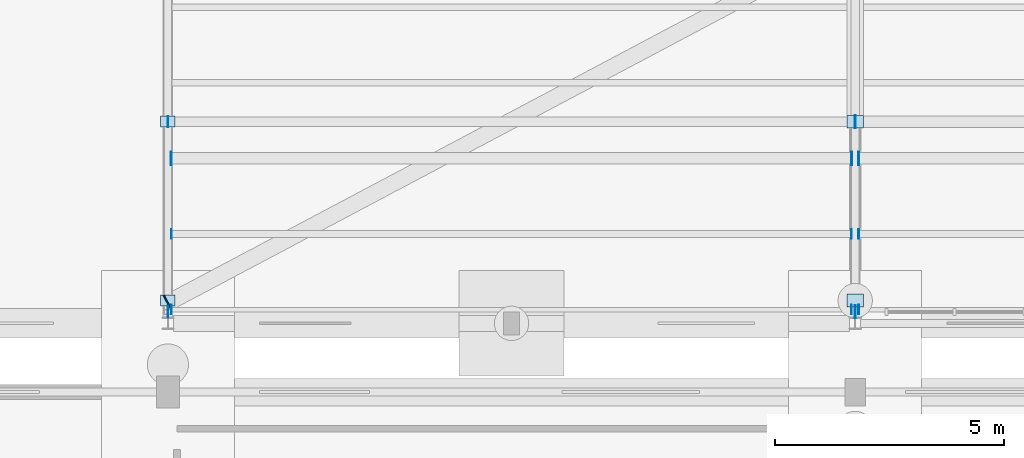
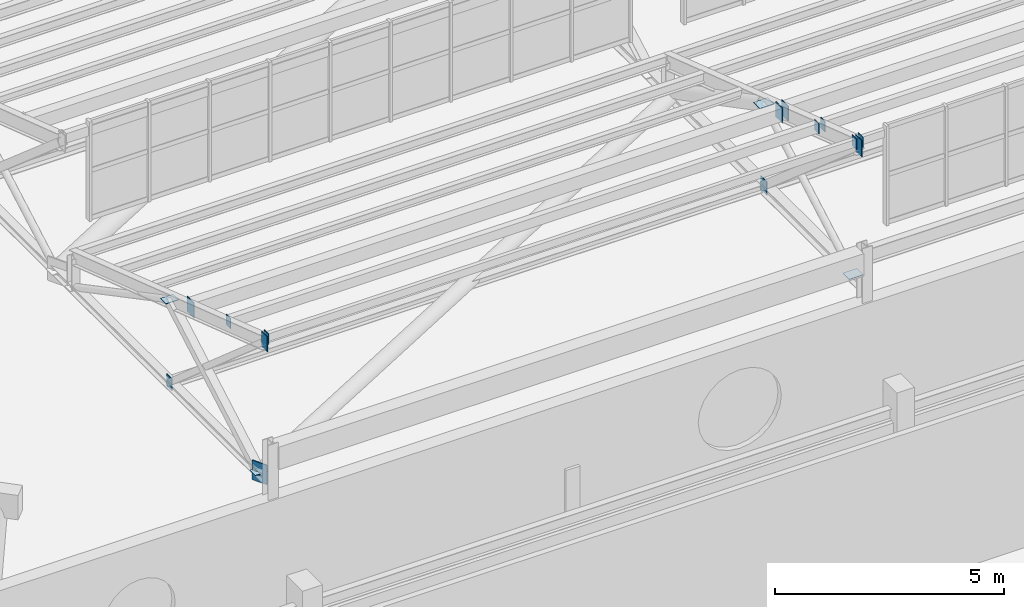
# One storey, part 189 of 285: 18 plates.
"""IFC4 building model written with IfcOpenShell, lengths in metres."""

from ifc_helpers import new_model, si_unit, direction, frame, origin, origin_2d, place, context, subcontext, project, spatial, rectangle, extrude, material, layer, layer_set, type_object, element, save


model = new_model("IFC4")

# Units and contexts
model_context = context("Model", 3, precision=1e-05, world=origin(), true_north=direction((0.0, 1.0)))
body_context = subcontext(model_context, "Body", "Model", "MODEL_VIEW")
ifc_project = project(units=[si_unit("LENGTHUNIT", "METRE"), si_unit("AREAUNIT", "SQUARE_METRE"), si_unit("VOLUMEUNIT", "CUBIC_METRE"), si_unit("PLANEANGLEUNIT", "RADIAN"), si_unit("MASSUNIT", "GRAM", prefix="KILO")], contexts=[model_context])

# Site, building, storey
site_placement = place(None, origin())
site = spatial("IfcSite", under=ifc_project, at=site_placement, CompositionType="ELEMENT")
building_placement = place(site_placement, origin())
building = spatial("IfcBuilding", under=site, at=building_placement, Name="Solanera Park Tramway Depot", CompositionType="ELEMENT")
storey_placement = place(building_placement, origin())
storey = spatial("IfcBuildingStorey", under=building, at=storey_placement, Name="L00", CompositionType="ELEMENT", Elevation=0.0)

# Plates
ifc_material_1 = material(Name="Steel AS/NZS 3679.1 Grade 350", Category="steel")
ifc_layer_1 = layer(ifc_material_1, 0.013916015625)
ifc_layer_set_1 = layer_set([ifc_layer_1], Name="Steel AS/NZS 3679.1 Grade 350")
plate_type_1 = type_object("IfcPlateType", Name="Hollow End Cap and Base Plate 280x200x14", PredefinedType="USERDEFINED", material=ifc_layer_set_1)
for number, where, z_axis, x_axis, name in (
    (1, (15.07470703125, 55.800048828125, 10.033203125), (0.0, 0.0, 1.0), (1.0, 0.0, 0.0), "Hollow Section Welded End Cap Plate #0117"),
    (2, (29.922119140625, 55.800048828125, 10.033203125), (0.0, 0.0, 1.0), (1.0, 0.0, 0.0), "Hollow Section Welded End Cap Plate #0118"),
    (3, (30.077880859375, 55.800048828125, 10.033203125), (0.0, 0.0, 1.0), (1.0, 0.0, 0.0), "Hollow Section Welded End Cap Plate #0119"),
    (4, (15.07470703125, 57.449951171875, 9.44775390625), (0.0, 0.0, 1.0), (1.0, 0.0, 0.0), "Hollow Section Welded End Cap Plate #0133"),
    (5, (29.922119140625, 57.449951171875, 9.44775390625), (0.0, 0.0, 1.0), (1.0, 0.0, 0.0), "Hollow Section Welded End Cap Plate #0134"),
    (6, (30.077880859375, 57.449951171875, 9.44775390625), (0.0, 0.0, 1.0), (1.0, 0.0, 0.0), "Hollow Section Welded End Cap Plate #0135"),
):
    element("IfcPlate", number, at=place(storey_placement, frame(where, z_axis=z_axis, x_axis=x_axis)), inside=storey, type_object=plate_type_1, Name=name, ObjectType="BASE PLATE", PredefinedType="USERDEFINED", context=body_context, shape_type="SweptSolid", body=[
        extrude(rectangle(XDim=0.013916015625, YDim=0.199951171875, at=origin_2d()), origin(), (0.0, 0.0, 1.0), 0.280029296875),
    ])
ifc_material_2 = material(Name="Steel AS/NZS 3679.1 Grade 350", Category="steel")
ifc_layer_2 = layer(ifc_material_2, 0.01611328125)
ifc_layer_set_2 = layer_set([ifc_layer_2], Name="Steel AS/NZS 3679.1 Grade 350")
plate_type_2 = type_object("IfcPlateType", Name="Hollow End Cap and Base Plate 320x240x16", PredefinedType="USERDEFINED", material=ifc_layer_set_2)
plate_1_placement = place(storey_placement, frame((15.0, 59.89990234375, 6.33984375), z_axis=(0.0, 0.0, 1.0), x_axis=(1.0, 0.0, 0.0)))
element("IfcPlate", 7, at=plate_1_placement, inside=storey, type_object=plate_type_2, Name="Sawtooth Truss Hollow End Cap #0073", ObjectType="BASE PLATE", PredefinedType="USERDEFINED", context=body_context, shape_type="SweptSolid", body=[
    extrude(rectangle(XDim=0.01611328125, YDim=0.239990234375, at=origin_2d()), origin(), (0.0, 0.0, 1.0), 0.320068359375),
])
for number, where, z_axis, x_axis, name in (
    (8, (15.0, 59.89990234375, 8.71044921875), (0.0, 0.0, 1.0), (1.0, 0.0, 0.0), "Sawtooth Truss Node Cap Plate #0075"),
    (9, (15.0, 56.0, 6.491943359375), (0.0, 0.0, 1.0), (1.0, 0.0, 0.0), "Sawtooth Truss Node Cap Plate #0076"),
):
    element("IfcPlate", number, at=place(storey_placement, frame(where, z_axis=z_axis, x_axis=x_axis)), inside=storey, type_object=plate_type_2, Name=name, ObjectType="BASE PLATE", PredefinedType="USERDEFINED", context=body_context, shape_type="SweptSolid", body=[
        extrude(rectangle(XDim=0.320068359375, YDim=0.239990234375, at=origin_2d()), origin(), (0.0, 0.0, 1.0), 0.01611328125),
    ])
ifc_material_3 = material(Name="Steel AS/NZS 3679.1 Grade 350", Category="steel")
ifc_layer_3 = layer(ifc_material_3, 0.01806640625)
ifc_layer_set_3 = layer_set([ifc_layer_3], Name="Steel AS/NZS 3679.1 Grade 350")
plate_type_3 = type_object("IfcPlateType", Name="Hollow End Cap and Base Plate 360x280x18", PredefinedType="USERDEFINED", material=ifc_layer_set_3)
plate_2_placement = place(storey_placement, frame((30.0, 59.89990234375, 6.31982421875), z_axis=(0.0, 0.0, 1.0), x_axis=(1.0, 0.0, 0.0)))
element("IfcPlate", 10, at=plate_2_placement, inside=storey, type_object=plate_type_3, Name="Sawtooth Truss Hollow End Cap #0078", ObjectType="BASE PLATE", PredefinedType="USERDEFINED", context=body_context, shape_type="SweptSolid", body=[
    extrude(rectangle(XDim=0.01806640625, YDim=0.280029296875, at=origin_2d()), origin(), (0.0, 0.0, 1.0), 0.360107421875),
])
for number, where, z_axis, x_axis, name in (
    (11, (30.0, 59.89990234375, 8.68408203125), (0.0, 0.0, 1.0), (1.0, 0.0, 0.0), "Sawtooth Truss Node Cap Plate #0080"),
    (12, (30.0, 56.0, 6.490966796875), (0.0, 0.0, 1.0), (1.0, 0.0, 0.0), "Sawtooth Truss Node Cap Plate #0081"),
):
    element("IfcPlate", number, at=place(storey_placement, frame(where, z_axis=z_axis, x_axis=x_axis)), inside=storey, type_object=plate_type_3, Name=name, ObjectType="BASE PLATE", PredefinedType="USERDEFINED", context=body_context, shape_type="SweptSolid", body=[
        extrude(rectangle(XDim=0.360107421875, YDim=0.280029296875, at=origin_2d()), origin(), (0.0, 0.0, 1.0), 0.01806640625),
    ])
ifc_material_4 = material(Name="Steel AS/NZS 3679.1 Grade 350", Category="steel")
ifc_layer_4 = layer(ifc_material_4, 0.02001953125)
ifc_layer_set_4 = layer_set([ifc_layer_4], Name="Steel AS/NZS 3679.1 Grade 350")
plate_type_4 = type_object("IfcPlateType", Name="Hollow End Cap and Base Plate 400x300x20", PredefinedType="USERDEFINED", material=ifc_layer_set_4)
for number, where, z_axis, x_axis, name in (
    (13, (15.07177734375, 59.10009765625, 8.76904296875), (0.0, 0.0, 1.0), (1.0, 0.0, 0.0), "Hollow Section Welded End Cap Plate #0149"),
    (14, (29.925048828125, 59.10009765625, 8.76904296875), (0.0, 0.0, 1.0), (1.0, 0.0, 0.0), "Hollow Section Welded End Cap Plate #0150"),
    (15, (30.074951171875, 59.10009765625, 8.76904296875), (0.0, 0.0, 1.0), (1.0, 0.0, 0.0), "Hollow Section Welded End Cap Plate #0151"),
):
    element("IfcPlate", number, at=place(storey_placement, frame(where, z_axis=z_axis, x_axis=x_axis)), inside=storey, type_object=plate_type_4, Name=name, ObjectType="BASE PLATE", PredefinedType="USERDEFINED", context=body_context, shape_type="SweptSolid", body=[
        extrude(rectangle(XDim=0.02001953125, YDim=0.300048828125, at=origin_2d()), origin(), (0.0, 0.0, 1.0), 0.39990234375),
    ])
ifc_material_5 = material(Name="Steel AS/NZS 3679.1 Grade 350", Category="steel")
ifc_layer_5 = layer(ifc_material_5, 0.02490234375)
ifc_layer_set_5 = layer_set([ifc_layer_5], Name="Steel AS/NZS 3679.1 Grade 350")
plate_type_5 = type_object("IfcPlateType", Name="Hollow End Cap and Base Plate 520x380x25", PredefinedType="USERDEFINED", material=ifc_layer_set_5)
plate_3_placement = place(storey_placement, frame((14.994384765625, 55.946044921875, 6.239990234375), z_axis=(0.0, 0.0, 1.0), x_axis=(0.883520501477, 0.468392488698, 0.0)))
element("IfcPlate", 16, at=plate_3_placement, inside=storey, type_object=plate_type_5, Name="Hollow Section Welded End Cap Plate #0165", ObjectType="BASE PLATE", PredefinedType="USERDEFINED", context=body_context, shape_type="SweptSolid", body=[
    extrude(rectangle(XDim=0.02490234375, YDim=0.3798828125, at=origin_2d()), origin(), (0.0, 0.0, 1.0), 0.52001953125),
])
ifc_material_6 = material(Name="Steel AS/NZS 3679.1 Grade 350", Category="steel")
ifc_layer_6 = layer(ifc_material_6, 0.01611328125)
ifc_layer_set_6 = layer_set([ifc_layer_6], Name="Steel AS/NZS 3679.1 Grade 350")
plate_type_6 = type_object("IfcPlateType", Name="Truss Node Gusset Stiffener 400x260x16", PredefinedType="SHEET", material=ifc_layer_set_6)
plate_4_placement = place(storey_placement, frame((15.0, 55.75, 9.906982421875), z_axis=(0.0, 0.0, 1.0), x_axis=(1.0, 0.0, 0.0)))
element("IfcPlate", 17, at=plate_4_placement, inside=storey, type_object=plate_type_6, Name="Sawtooth Truss Apex Gusset Plate #0072", PredefinedType="SHEET", context=body_context, shape_type="SweptSolid", body=[
    extrude(rectangle(XDim=0.01611328125, YDim=0.260009765625, at=origin_2d()), origin(), (0.0, 0.0, 1.0), 0.39990234375),
])
ifc_material_7 = material(Name="Steel AS/NZS 3679.1 Grade 350", Category="steel")
ifc_layer_7 = layer(ifc_material_7, 0.01611328125)
ifc_layer_set_7 = layer_set([ifc_layer_7], Name="Steel AS/NZS 3679.1 Grade 350")
plate_type_7 = type_object("IfcPlateType", Name="Truss Node Gusset Stiffener 440x280x16", PredefinedType="SHEET", material=ifc_layer_set_7)
plate_5_placement = place(storey_placement, frame((30.0, 55.75, 9.861572265625), z_axis=(0.0, 0.0, 1.0), x_axis=(1.0, 0.0, 0.0)))
element("IfcPlate", 18, at=plate_5_placement, inside=storey, type_object=plate_type_7, Name="Sawtooth Truss Apex Gusset Plate #0077", PredefinedType="SHEET", context=body_context, shape_type="SweptSolid", body=[
    extrude(rectangle(XDim=0.01611328125, YDim=0.280029296875, at=origin_2d()), origin(), (0.0, 0.0, 1.0), 0.43994140625),
])

save(model, "model.ifc")
